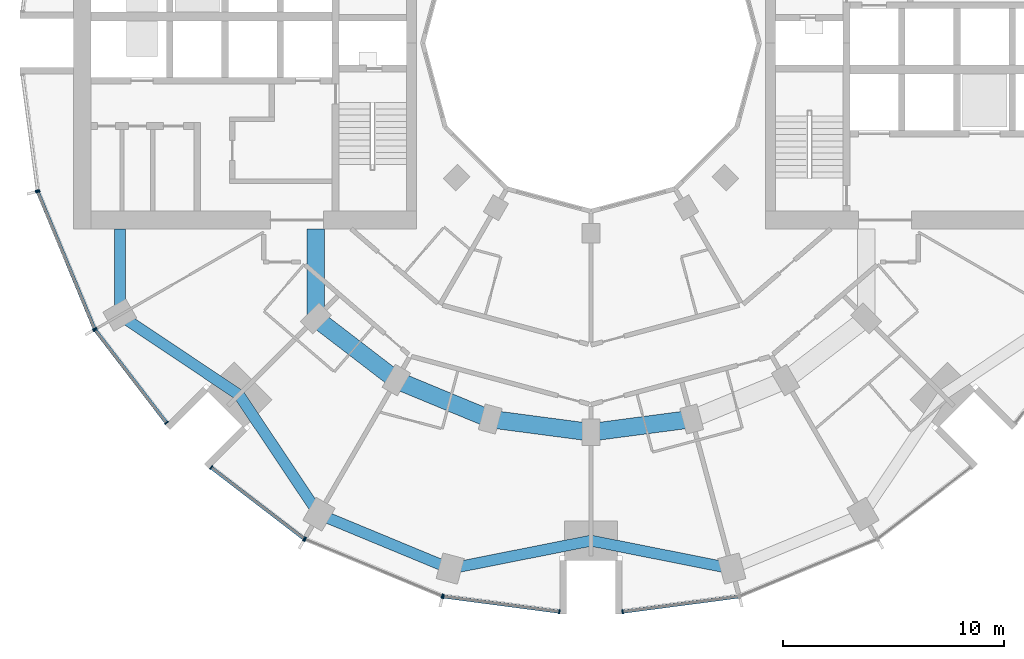
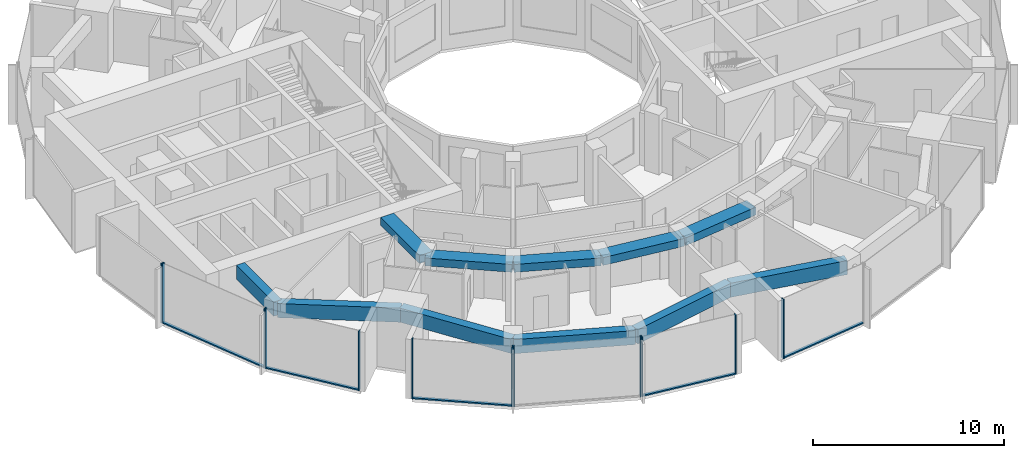
# One storey, part 2 of 15: 17 members, 11 beams, 7 elements without a shape of their own.
"""IFC4 building model written with IfcOpenShell, lengths in metres."""

from ifc_helpers import new_model, si_unit, direction, frame, origin, origin_2d, place, context, subcontext, project, spatial, rectangle, extrude, material, layer, layer_set, material_profile, profile_set, type_object, element, aggregate, save


model = new_model("IFC4")

# Units and contexts
model_context = context("Model", 3, precision=1e-05, world=origin(), true_north=direction((0.0, 1.0)))
body_context = subcontext(model_context, "Body", "Model", "MODEL_VIEW")
ifc_project = project(units=[si_unit("LENGTHUNIT", "METRE"), si_unit("AREAUNIT", "SQUARE_METRE"), si_unit("VOLUMEUNIT", "CUBIC_METRE"), si_unit("PLANEANGLEUNIT", "RADIAN"), si_unit("MASSUNIT", "GRAM", prefix="KILO")], contexts=[model_context])

# Site, building, storey
site_placement = place(None, origin())
site = spatial("IfcSite", under=ifc_project, at=site_placement, CompositionType="ELEMENT")
building_placement = place(site_placement, origin())
building = spatial("IfcBuilding", under=site, at=building_placement, Name="Torre Brocal", CompositionType="ELEMENT")
storey_placement = place(building_placement, frame((0.0, 0.0, 36.39990234375)))
storey = spatial("IfcBuildingStorey", under=building, at=storey_placement, Name="L07", CompositionType="ELEMENT", Elevation=36.39990234375)

# Curtain wall, members
ifc_material_1 = material(Name="Aluminium and glass", Category="aluminium")
ifc_layer_1 = layer(ifc_material_1, 0.199951171875)
ifc_layer_set_1 = layer_set([ifc_layer_1], Name="Aluminium and glass")
curtain_wall_type_1 = type_object("IfcCurtainWallType", Name="CW-1 CURTAIN WALL 3800 HIGH", PredefinedType="NOTDEFINED", material=ifc_layer_set_1)
curtain_wall_1_placement = place(storey_placement, origin())
curtain_wall_1 = element("IfcCurtainWall", 1, at=curtain_wall_1_placement, inside=storey, type_object=curtain_wall_type_1, Name="CW-1 RUN 14", PredefinedType="NOTDEFINED")
ifc_material_2 = material(Name="Aluminium, dark anodised", Category="aluminium")
ifc_material_profile_1 = material_profile(ifc_material_2, rectangle(XDim=0.199951171875, YDim=0.06005859375, at=origin_2d()), Name="CW-1 MULLION 60X200")
ifc_profile_set_1 = profile_set([ifc_material_profile_1], Name="Aluminium, dark anodised")
member_type_1 = type_object("IfcMemberType", Name="CW-1 MULLION 60X200", PredefinedType="MULLION", material=ifc_profile_set_1)
member_1_placement = place(storey_placement, frame((54.994873046875, 68.26904296875, 0.0), z_axis=(0.0, 0.0, 1.0), x_axis=(0.923879532525, 0.382683432333, 0.0)))
member_1 = element("IfcMember", 2, at=member_1_placement, type_object=member_type_1, Name="CW1-1 mullion 1", PredefinedType="MULLION", context=body_context, shape_type="SweptSolid", body=[
    extrude(rectangle(XDim=0.199951171875, YDim=0.06005859375, at=origin_2d()), origin(), (0.0, 0.0, 1.0), 3.800048828125),
])
member_2_placement = place(storey_placement, frame((57.559326171875, 62.078125, 0.0), z_axis=(0.0, 0.0, 1.0), x_axis=(0.923879532525, 0.382683432333, 0.0)))
member_2 = element("IfcMember", 3, at=member_2_placement, type_object=member_type_1, Name="CW1-1 mullion 2", PredefinedType="MULLION", context=body_context, shape_type="SweptSolid", body=[
    extrude(rectangle(XDim=0.199951171875, YDim=0.06005859375, at=origin_2d()), origin(), (0.0, 0.0, 1.0), 3.800048828125),
])

curtain_wall_2_placement = place(storey_placement, origin())
curtain_wall_2 = element("IfcCurtainWall", 4, at=curtain_wall_2_placement, inside=storey, type_object=curtain_wall_type_1, Name="CW-1 RUN 15", PredefinedType="NOTDEFINED")
member_3_placement = place(storey_placement, frame((57.5888671875, 62.026611328125, 0.0), z_axis=(0.0, 0.0, 1.0), x_axis=(0.793353340259, 0.60876142905, 0.0)))
member_3 = element("IfcMember", 5, at=member_3_placement, type_object=member_type_1, Name="CW1-1 mullion 1", PredefinedType="MULLION", context=body_context, shape_type="SweptSolid", body=[
    extrude(rectangle(XDim=0.199951171875, YDim=0.06005859375, at=origin_2d()), origin(), (0.0, 0.0, 1.0), 3.800048828125),
])
member_4_placement = place(storey_placement, frame((60.80859375, 57.83056640625, 0.0), z_axis=(0.0, 0.0, 1.0), x_axis=(0.793353340259, 0.60876142905, 0.0)))
member_4 = element("IfcMember", 6, at=member_4_placement, type_object=member_type_1, Name="CW1-1 mullion 2", PredefinedType="MULLION", context=body_context, shape_type="SweptSolid", body=[
    extrude(rectangle(XDim=0.199951171875, YDim=0.06005859375, at=origin_2d()), origin(), (0.0, 0.0, 1.0), 3.800048828125),
])

curtain_wall_3_placement = place(storey_placement, origin())
curtain_wall_3 = element("IfcCurtainWall", 7, at=curtain_wall_3_placement, inside=storey, type_object=curtain_wall_type_1, Name="CW-1 RUN 16", PredefinedType="NOTDEFINED")
member_5_placement = place(storey_placement, frame((62.83056640625, 55.80859375, 0.0), z_axis=(0.0, 0.0, 1.0), x_axis=(0.60876142905, 0.793353340259, 0.0)))
member_5 = element("IfcMember", 8, at=member_5_placement, type_object=member_type_1, Name="CW1-1 mullion 1", PredefinedType="MULLION", context=body_context, shape_type="SweptSolid", body=[
    extrude(rectangle(XDim=0.199951171875, YDim=0.06005859375, at=origin_2d()), origin(), (0.0, 0.0, 1.0), 3.800048828125),
])
member_6_placement = place(storey_placement, frame((67.026611328125, 52.5888671875, 0.0), z_axis=(0.0, 0.0, 1.0), x_axis=(0.60876142905, 0.793353340259, 0.0)))
member_6 = element("IfcMember", 9, at=member_6_placement, type_object=member_type_1, Name="CW1-1 mullion 2", PredefinedType="MULLION", context=body_context, shape_type="SweptSolid", body=[
    extrude(rectangle(XDim=0.199951171875, YDim=0.06005859375, at=origin_2d()), origin(), (0.0, 0.0, 1.0), 3.800048828125),
])

curtain_wall_4_placement = place(storey_placement, origin())
curtain_wall_4 = element("IfcCurtainWall", 10, at=curtain_wall_4_placement, inside=storey, type_object=curtain_wall_type_1, Name="CW-1 RUN 17", PredefinedType="NOTDEFINED")
member_7_placement = place(storey_placement, frame((67.078125, 52.559326171875, 0.0), z_axis=(0.0, 0.0, 1.0), x_axis=(0.382683432333, 0.923879532525, 0.0)))
member_7 = element("IfcMember", 11, at=member_7_placement, type_object=member_type_1, Name="CW1-1 mullion 1", PredefinedType="MULLION", context=body_context, shape_type="SweptSolid", body=[
    extrude(rectangle(XDim=0.199951171875, YDim=0.06005859375, at=origin_2d()), origin(), (0.0, 0.0, 1.0), 3.800048828125),
])
member_8_placement = place(storey_placement, frame((73.26904296875, 49.994873046875, 0.0), z_axis=(0.0, 0.0, 1.0), x_axis=(0.382683432333, 0.923879532525, 0.0)))
member_8 = element("IfcMember", 12, at=member_8_placement, type_object=member_type_1, Name="CW1-1 mullion 2", PredefinedType="MULLION", context=body_context, shape_type="SweptSolid", body=[
    extrude(rectangle(XDim=0.199951171875, YDim=0.06005859375, at=origin_2d()), origin(), (0.0, 0.0, 1.0), 3.800048828125),
])
aggregate(curtain_wall_4, [member_7, member_8])

curtain_wall_5_placement = place(storey_placement, origin())
curtain_wall_5 = element("IfcCurtainWall", 13, at=curtain_wall_5_placement, inside=storey, type_object=curtain_wall_type_1, Name="CW-1 RUN 18", PredefinedType="NOTDEFINED")
member_9_placement = place(storey_placement, frame((73.32666015625, 49.9794921875, 0.0), z_axis=(0.0, 0.0, 1.0), x_axis=(0.13052619222, 0.991444861374, 0.0)))
member_9 = element("IfcMember", 14, at=member_9_placement, type_object=member_type_1, Name="CW1-1 mullion 1", PredefinedType="MULLION", context=body_context, shape_type="SweptSolid", body=[
    extrude(rectangle(XDim=0.199951171875, YDim=0.06005859375, at=origin_2d()), origin(), (0.0, 0.0, 1.0), 3.800048828125),
])
member_10_placement = place(storey_placement, frame((78.5703125, 49.2890625, 0.0), z_axis=(0.0, 0.0, 1.0), x_axis=(0.13052619222, 0.991444861374, 0.0)))
member_10 = element("IfcMember", 15, at=member_10_placement, type_object=member_type_1, Name="CW1-1 mullion 2", PredefinedType="MULLION", context=body_context, shape_type="SweptSolid", body=[
    extrude(rectangle(XDim=0.199951171875, YDim=0.06005859375, at=origin_2d()), origin(), (0.0, 0.0, 1.0), 3.800048828125),
])

# Curtain wall, member
curtain_wall_6_placement = place(storey_placement, origin())
curtain_wall_6 = element("IfcCurtainWall", 16, at=curtain_wall_6_placement, inside=storey, type_object=curtain_wall_type_1, Name="CW-1 RUN 19", PredefinedType="NOTDEFINED")
member_11_placement = place(storey_placement, frame((81.4296875, 49.2890625, 0.0), z_axis=(0.0, 0.0, 1.0), x_axis=(-0.13052619222, 0.991444861374, 0.0)))
member_11 = element("IfcMember", 17, at=member_11_placement, type_object=member_type_1, Name="CW1-1 mullion 1", PredefinedType="MULLION", context=body_context, shape_type="SweptSolid", body=[
    extrude(rectangle(XDim=0.199951171875, YDim=0.06005859375, at=origin_2d()), origin(), (0.0, 0.0, 1.0), 3.800048828125),
])

# Member
ifc_material_3 = material(Name="Aluminium, dark anodised", Category="aluminium")
ifc_material_profile_2 = material_profile(ifc_material_3, rectangle(XDim=0.159912109375, YDim=0.080078125, at=origin_2d()), Name="CW-1 TRANSOM 160X80")
ifc_profile_set_2 = profile_set([ifc_material_profile_2], Name="Aluminium, dark anodised")
member_type_2 = type_object("IfcMemberType", Name="CW-1 TRANSOM 160X80", PredefinedType="USERDEFINED", material=ifc_profile_set_2)
member_12_placement = place(storey_placement, frame((55.00634765625, 68.241455078125, 0.0400390625), z_axis=(0.38266457234, -0.923887344364, 0.0), x_axis=(0.923887344364, 0.38266457234, 0.0)))
member_12 = element("IfcMember", 18, at=member_12_placement, type_object=member_type_2, Name="CW1-1 transom 1.1", ObjectType="TRANSOM", PredefinedType="USERDEFINED", context=body_context, shape_type="SweptSolid", body=[
    extrude(rectangle(XDim=0.159912109375, YDim=0.080078125, at=origin_2d()), origin(), (0.0, 0.0, 1.0), 6.640869140625),
])

aggregate(curtain_wall_1, [member_1, member_2, member_12])

member_13_placement = place(storey_placement, frame((57.607177734375, 62.0029296875, 0.0400390625), z_axis=(0.60874908096, -0.79336281513, 0.0), x_axis=(0.79336281513, 0.60874908096, 0.0)))
member_13 = element("IfcMember", 19, at=member_13_placement, type_object=member_type_2, Name="CW1-1 transom 1.1", ObjectType="TRANSOM", PredefinedType="USERDEFINED", context=body_context, shape_type="SweptSolid", body=[
    extrude(rectangle(XDim=0.159912109375, YDim=0.080078125, at=origin_2d()), origin(), (0.0, 0.0, 1.0), 5.22900390625),
])

aggregate(curtain_wall_2, [member_3, member_4, member_13])

member_14_placement = place(storey_placement, frame((62.8544921875, 55.790283203125, 0.0400390625), z_axis=(0.79336281513, -0.60874908096, 0.0), x_axis=(0.60874908096, 0.79336281513, 0.0)))
member_14 = element("IfcMember", 20, at=member_14_placement, type_object=member_type_2, Name="CW1-1 transom 1.1", ObjectType="TRANSOM", PredefinedType="USERDEFINED", context=body_context, shape_type="SweptSolid", body=[
    extrude(rectangle(XDim=0.159912109375, YDim=0.080078125, at=origin_2d()), origin(), (0.0, 0.0, 1.0), 5.22900390625),
])

aggregate(curtain_wall_3, [member_5, member_6, member_14])

member_15_placement = place(storey_placement, frame((73.356201171875, 49.9755859375, 0.0400390625), z_axis=(0.991442690863, -0.130542677827, 0.0), x_axis=(0.130542677827, 0.991442690863, 0.0)))
member_15 = element("IfcMember", 21, at=member_15_placement, type_object=member_type_2, Name="CW1-1 transom 1.1", ObjectType="TRANSOM", PredefinedType="USERDEFINED", context=body_context, shape_type="SweptSolid", body=[
    extrude(rectangle(XDim=0.159912109375, YDim=0.080078125, at=origin_2d()), origin(), (0.0, 0.0, 1.0), 5.22900390625),
])

aggregate(curtain_wall_5, [member_9, member_10, member_15])

member_16_placement = place(storey_placement, frame((81.45947265625, 49.29296875, 0.0400390625), z_axis=(0.991442690863, 0.130542677827, 0.0), x_axis=(-0.130542677827, 0.991442690863, 0.0)))
member_16 = element("IfcMember", 22, at=member_16_placement, type_object=member_type_2, Name="CW1-1 transom 1.1", ObjectType="TRANSOM", PredefinedType="USERDEFINED", context=body_context, shape_type="SweptSolid", body=[
    extrude(rectangle(XDim=0.159912109375, YDim=0.080078125, at=origin_2d()), origin(), (0.0, 0.0, 1.0), 5.22900390625),
])

aggregate(curtain_wall_6, [member_11, member_16])

# Curtain wall, member
ifc_material_4 = material(Name="Aluminium and glass", Category="aluminium")
ifc_layer_2 = layer(ifc_material_4, 0.199951171875)
ifc_layer_set_2 = layer_set([ifc_layer_2], Name="Aluminium and glass")
curtain_wall_type_2 = type_object("IfcCurtainWallType", Name="CW-1B CURTAIN WALL 3800 HIGH", PredefinedType="NOTDEFINED", material=ifc_layer_set_2)
curtain_wall_7_placement = place(storey_placement, origin())
curtain_wall_7 = element("IfcCurtainWall", 23, at=curtain_wall_7_placement, inside=storey, type_object=curtain_wall_type_2, Name="CW-1B RUN 13", PredefinedType="NOTDEFINED")
ifc_material_5 = material(Name="Aluminium, dark anodised", Category="aluminium")
ifc_material_profile_3 = material_profile(ifc_material_5, rectangle(XDim=0.199951171875, YDim=0.06005859375, at=origin_2d()), Name="CW-1B MULLION 60X200")
ifc_profile_set_3 = profile_set([ifc_material_profile_3], Name="Aluminium, dark anodised")
member_type_3 = type_object("IfcMemberType", Name="CW-1B MULLION 60X200", PredefinedType="MULLION", material=ifc_profile_set_3)
member_17_placement = place(storey_placement, frame((54.9794921875, 68.32666015625, 0.0), z_axis=(0.0, 0.0, 1.0), x_axis=(0.991444861374, 0.13052619222, 0.0)))
member_17 = element("IfcMember", 24, at=member_17_placement, type_object=member_type_3, Name="CW1B-1 mullion 2", PredefinedType="MULLION", context=body_context, shape_type="SweptSolid", body=[
    extrude(rectangle(XDim=0.199951171875, YDim=0.06005859375, at=origin_2d()), origin(), (0.0, 0.0, 1.0), 3.800048828125),
])
aggregate(curtain_wall_7, [member_17])

# Beams
ifc_material_6 = material(Name="Concrete C50", Category="concrete")
ifc_material_profile_4 = material_profile(ifc_material_6, rectangle(XDim=0.800048828125, YDim=0.5, at=origin_2d()), Name="RC 800X500")
ifc_profile_set_4 = profile_set([ifc_material_profile_4], Name="Concrete C50")
beam_type_1 = type_object("IfcBeamType", Name="RC BEAM 800X500 C50 TOP 3480", PredefinedType="BEAM", material=ifc_profile_set_4)
beam_1_placement = place(storey_placement, frame((67.554931640625, 62.554931640625, 3.22998046875), z_axis=(0.0, 1.0, 0.0), x_axis=(-1.0, 0.0, 0.0)))
element("IfcBeam", 25, at=beam_1_placement, inside=storey, type_object=beam_type_1, Name="Beam BT-19", PredefinedType="BEAM", context=body_context, shape_type="SweptSolid", body=[
    extrude(rectangle(XDim=0.800048828125, YDim=0.5, at=origin_2d()), origin(), (0.0, 0.0, 1.0), 4.045166015625),
])
beam_2_placement = place(storey_placement, frame((67.554931640625, 62.554931640625, 3.22998046875), z_axis=(0.793358265959, -0.6087550097, 0.0), x_axis=(0.6087550097, 0.793358265959, 0.0)))
element("IfcBeam", 26, at=beam_2_placement, inside=storey, type_object=beam_type_1, Name="Beam BT-19", PredefinedType="BEAM", context=body_context, shape_type="SweptSolid", body=[
    extrude(rectangle(XDim=0.800048828125, YDim=0.5, at=origin_2d()), origin(), (0.0, 0.0, 1.0), 4.594482421875),
])
beam_3_placement = place(storey_placement, frame((71.199951171875, 59.758056640625, 3.22998046875), z_axis=(0.923878240166, -0.382686552348, 0.0), x_axis=(0.382686552348, 0.923878240166, 0.0)))
element("IfcBeam", 27, at=beam_3_placement, inside=storey, type_object=beam_type_1, Name="Beam BT-19", PredefinedType="BEAM", context=body_context, shape_type="SweptSolid", body=[
    extrude(rectangle(XDim=0.800048828125, YDim=0.5, at=origin_2d()), origin(), (0.0, 0.0, 1.0), 4.5947265625),
])
for number, where, z_axis, x_axis, name in (
    (28, (75.44482421875, 57.999755859375, 3.22998046875), (0.991440544449, -0.130558978332, 0.0), (0.130558978332, 0.991440544449, 0.0), "Beam BT-19"),
    (29, (80.0, 57.39990234375, 3.22998046875), (0.991440544449, 0.130558978332, 0.0), (-0.130558978332, 0.991440544449, 0.0), "Beam BT-19"),
):
    element("IfcBeam", number, at=place(storey_placement, frame(where, z_axis=z_axis, x_axis=x_axis)), inside=storey, type_object=beam_type_1, Name=name, PredefinedType="BEAM", context=body_context, shape_type="SweptSolid", body=[
        extrude(rectangle(XDim=0.800048828125, YDim=0.5, at=origin_2d()), origin(), (0.0, 0.0, 1.0), 4.594482421875),
    ])
ifc_material_7 = material(Name="Concrete C50", Category="concrete")
ifc_material_profile_5 = material_profile(ifc_material_7, rectangle(XDim=0.5, YDim=0.89990234375, at=origin_2d()), Name="RC 500X900")
ifc_profile_set_5 = profile_set([ifc_material_profile_5], Name="Concrete C50")
beam_type_2 = type_object("IfcBeamType", Name="RC SPANDREL BEAM 500X900 C50 TOP 3480", PredefinedType="SPANDREL", material=ifc_profile_set_5)
beam_4_placement = place(storey_placement, frame((58.69580078125, 62.699951171875, 3.030029296875), z_axis=(0.0, 1.0, 0.0), x_axis=(-1.0, 0.0, 0.0)))
element("IfcBeam", 30, at=beam_4_placement, inside=storey, type_object=beam_type_2, Name="Beam BT-20", PredefinedType="SPANDREL", context=body_context, shape_type="SweptSolid", body=[
    extrude(rectangle(XDim=0.5, YDim=0.89990234375, at=origin_2d()), origin(), (0.0, 0.0, 1.0), 3.900146484375),
])
for number, where, z_axis, x_axis, name in (
    (31, (58.69580078125, 62.699951171875, 3.030029296875), (0.831076844476, -0.556157602282, 0.0), (0.556157602282, 0.831076844476, 0.0), "Beam BT-20"),
    (32, (64.090087890625, 59.090087890625, 3.030029296875), (0.556157602282, -0.831076844476, 0.0), (0.831076844476, 0.556157602282, 0.0), "Beam BT-20"),
):
    element("IfcBeam", number, at=place(storey_placement, frame(where, z_axis=z_axis, x_axis=x_axis)), inside=storey, type_object=beam_type_2, Name=name, PredefinedType="SPANDREL", context=body_context, shape_type="SweptSolid", body=[
        extrude(rectangle(XDim=0.5, YDim=0.89990234375, at=origin_2d()), origin(), (0.0, 0.0, 1.0), 6.49072265625),
    ])
beam_5_placement = place(storey_placement, frame((67.699951171875, 53.69580078125, 3.030029296875), z_axis=(0.923882462513, -0.382676358639, 0.0), x_axis=(0.382676358639, 0.923882462513, 0.0)))
element("IfcBeam", 33, at=beam_5_placement, inside=storey, type_object=beam_type_2, Name="Beam BT-20", PredefinedType="SPANDREL", context=body_context, shape_type="SweptSolid", body=[
    extrude(rectangle(XDim=0.5, YDim=0.89990234375, at=origin_2d()), origin(), (0.0, 0.0, 1.0), 6.421875),
])
for number, where, z_axis, x_axis, name in (
    (34, (73.633056640625, 51.23828125, 3.030029296875), (0.980924907484, 0.194387051723, 0.0), (-0.194387051723, 0.980924907484, 0.0), "Beam BT-20"),
    (35, (80.0, 52.5, 3.030029296875), (0.980924907484, -0.194387051723, 0.0), (0.194387051723, 0.980924907484, 0.0), "Beam BT-20"),
):
    element("IfcBeam", number, at=place(storey_placement, frame(where, z_axis=z_axis, x_axis=x_axis)), inside=storey, type_object=beam_type_2, Name=name, PredefinedType="SPANDREL", context=body_context, shape_type="SweptSolid", body=[
        extrude(rectangle(XDim=0.5, YDim=0.89990234375, at=origin_2d()), origin(), (0.0, 0.0, 1.0), 6.49072265625),
    ])

save(model, "model.ifc")
